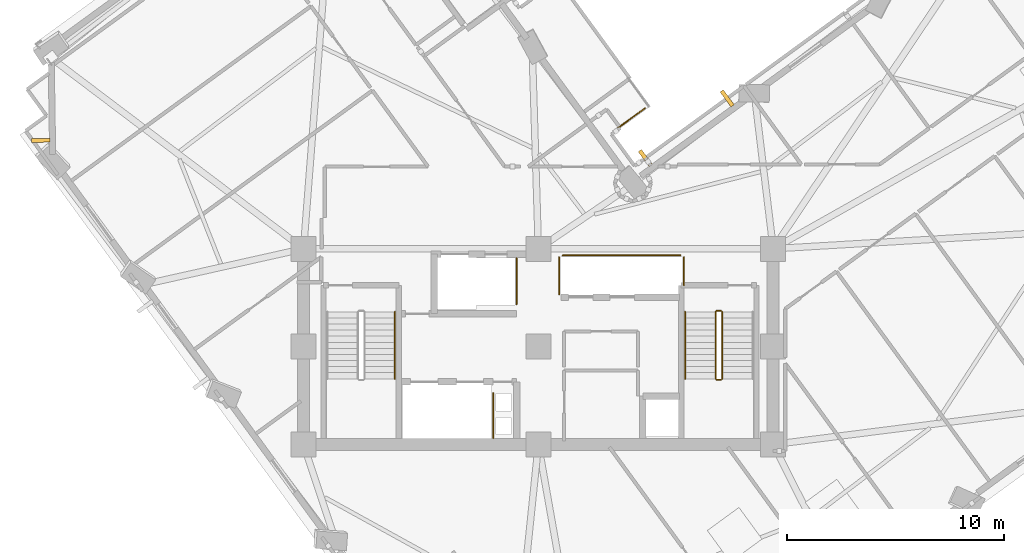
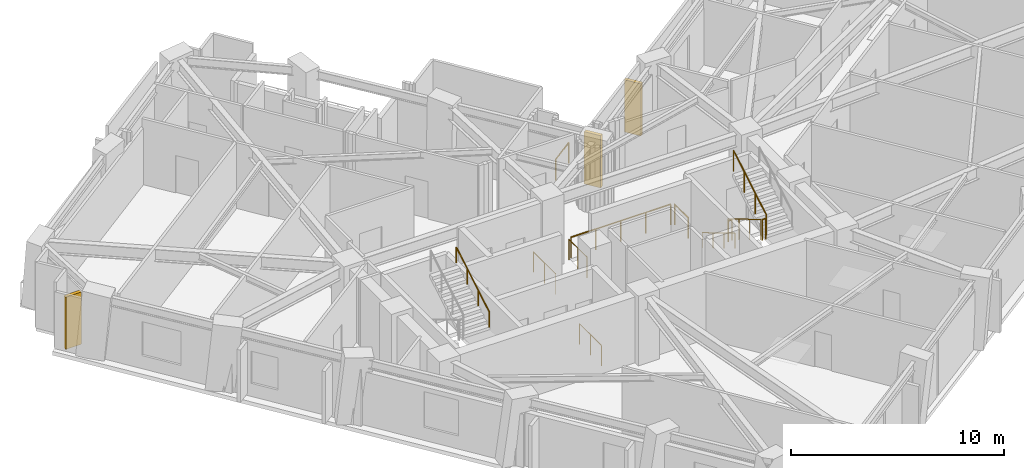
# One storey, part 11 of 14: 12 railings, 3 shading devices.
"""IFC4 building model written with IfcOpenShell, lengths in metres."""

from ifc_helpers import new_model, si_unit, direction, frame, origin, origin_2d, place, context, subcontext, project, spatial, rectangle, circle, extrude, material, layer, layer_set, type_object, element, save


model = new_model("IFC4")

# Units and contexts
model_context = context("Model", 3, precision=1e-05, world=origin(), true_north=direction((0.0, 1.0)))
body_context = subcontext(model_context, "Body", "Model", "MODEL_VIEW")
ifc_project = project(units=[si_unit("LENGTHUNIT", "METRE"), si_unit("AREAUNIT", "SQUARE_METRE"), si_unit("VOLUMEUNIT", "CUBIC_METRE"), si_unit("PLANEANGLEUNIT", "RADIAN"), si_unit("MASSUNIT", "GRAM", prefix="KILO")], contexts=[model_context])

# Site, building, storey
site_placement = place(None, origin())
site = spatial("IfcSite", under=ifc_project, at=site_placement, CompositionType="ELEMENT")
building_placement = place(site_placement, origin())
building = spatial("IfcBuilding", under=site, at=building_placement, Name="Gaonmaruhae Medical Tower", CompositionType="ELEMENT")
storey_placement = place(building_placement, frame((0.0, 0.0, 177.800048828125)))
storey = spatial("IfcBuildingStorey", under=building, at=storey_placement, Name="L42", CompositionType="ELEMENT", Elevation=177.800048828125)

# Railings
ifc_material_1 = material(Name="Stainless steel 316L and laminated safety glass", Category="steel")
ifc_layer = layer(ifc_material_1, 0.080078125)
ifc_layer_set = layer_set([ifc_layer], Name="Stainless steel 316L and laminated safety glass")
railing_type_1 = type_object("IfcRailingType", Name="GD-120 Outdoor Terrace Safety Glass & Steel Balustrade", PredefinedType="BALUSTRADE", material=ifc_layer_set)
railing_1_placement = place(storey_placement, frame((29.700439453125, 23.259521484375, 0.0)))
element("IfcRailing", 1, at=railing_1_placement, inside=storey, type_object=railing_type_1, Name="L42 Perimeter Slab Edge Safety Balustrade 12", PredefinedType="BALUSTRADE", context=body_context, shape_type="SweptSolid", body=[
    extrude(circle(Radius=0.02392578125, at=origin_2d()), frame((0.0, 0.0, 1.17578125), z_axis=(-0.80801712744, -0.589158995317, 0.0), x_axis=(0.589158995317, -0.80801712744, 0.0)), (0.0, 0.0, 1.0), 1.513671875),
    extrude(circle(Radius=0.02099609375, at=origin_2d()), origin(), (0.0, 0.0, 1.0), 1.15185546875),
    extrude(circle(Radius=0.02099609375, at=origin_2d()), frame((-1.22314453125, -0.891845703125, 0.0)), (0.0, 0.0, 1.0), 1.15185546875),
])
ifc_material_2 = material(Name="Stainless steel 304 handrail", Category="steel")
railing_type_2 = type_object("IfcRailingType", Name="HR-092 Continuous Stainless Steel Stair Handrail", PredefinedType="HANDRAIL", material=ifc_material_2)
railing_2_placement = place(storey_placement, frame((18.199951171875, 10.820068359375, 2.16650390625)))
element("IfcRailing", 2, at=railing_2_placement, inside=storey, type_object=railing_type_2, Name="L42 ST-01 stair handrail 2", PredefinedType="HANDRAIL", context=body_context, shape_type="SweptSolid", body=[
    extrude(circle(Radius=0.02392578125, at=origin_2d()), frame((0.0, 0.0, 0.8759765625), z_axis=(0.0, 0.859260807169, 0.511537745687), x_axis=(-1.0, 0.0, 0.0)), (0.0, 0.0, 1.0), 3.584228515625),
    extrude(circle(Radius=0.02099609375, at=origin_2d()), origin(), (0.0, 0.0, 1.0), 0.851806640625),
    extrude(circle(Radius=0.02099609375, at=origin_2d()), frame((0.0, 1.026611328125, 0.611083984375)), (0.0, 0.0, 1.0), 0.851806640625),
    extrude(circle(Radius=0.02099609375, at=origin_2d()), frame((0.0, 2.05322265625, 1.222412109375)), (0.0, 0.0, 1.0), 0.851806640625),
    extrude(circle(Radius=0.02099609375, at=origin_2d()), frame((0.0, 3.079833984375, 1.83349609375)), (0.0, 0.0, 1.0), 0.851806640625),
])
railing_3_placement = place(storey_placement, frame((31.550048828125, 13.89990234375, 0.16650390625)))
element("IfcRailing", 3, at=railing_3_placement, inside=storey, type_object=railing_type_2, Name="L42 ST-02 stair handrail 1", PredefinedType="HANDRAIL", context=body_context, shape_type="SweptSolid", body=[
    extrude(circle(Radius=0.02392578125, at=origin_2d()), frame((0.0, 0.0, 0.8759765625), z_axis=(0.0, -0.859260807169, 0.511537745687), x_axis=(1.0, 0.0, 0.0)), (0.0, 0.0, 1.0), 3.584228515625),
    extrude(circle(Radius=0.02099609375, at=origin_2d()), origin(), (0.0, 0.0, 1.0), 0.851806640625),
    extrude(circle(Radius=0.02099609375, at=origin_2d()), frame((0.0, -1.026611328125, 0.611083984375)), (0.0, 0.0, 1.0), 0.851806640625),
    extrude(circle(Radius=0.02099609375, at=origin_2d()), frame((0.0, -2.05322265625, 1.222412109375)), (0.0, 0.0, 1.0), 0.851806640625),
    extrude(circle(Radius=0.02099609375, at=origin_2d()), frame((0.0, -3.079833984375, 1.83349609375)), (0.0, 0.0, 1.0), 0.851806640625),
])

# Shading devices
ifc_material_3 = material(Name="Pigmented coral precast concrete C45/55", Category="concrete")
shading_device_type = type_object("IfcShadingDeviceType", Name="SD-FIN1 Tower Vertical Coral Precast Shading Fin", PredefinedType="USERDEFINED", material=ifc_material_3)
for number, where, z_axis, x_axis, name in (
    (4, (29.715087890625, 20.970703125, 0.132568359375), (0.0, 0.0, 1.0), (0.808000167191, 0.58918225518, 0.0), "L42 Vertical Coral Precast Shading Fin EN03"),
    (5, (33.48046875, 23.716552734375, 0.132568359375), (0.0, 0.0, 1.0), (0.808000167191, 0.58918225518, 0.0), "L42 Vertical Coral Precast Shading Fin EN03B"),
    (6, (1.90625, 21.786376953125, 0.132568359375), (0.0, 0.0, 1.0), (-0.015393196034, 0.999881517739, 0.0), "L42 Vertical Coral Precast Shading Fin N03"),
):
    element("IfcShadingDevice", number, at=place(storey_placement, frame(where, z_axis=z_axis, x_axis=x_axis)), inside=storey, type_object=shading_device_type, Name=name, ObjectType="FIN", PredefinedType="USERDEFINED", context=body_context, shape_type="SweptSolid", body=[
        extrude(rectangle(XDim=0.179931640625, YDim=0.85009765625, at=origin_2d()), origin(), (0.0, 0.0, 1.0), 3.0),
    ])

# Railings
ifc_material_4 = material(Name="Stainless steel 304 balustrade", Category="steel")
railing_type_3 = type_object("IfcRailingType", Name="SG-112 Stair Well & Ramp Void Safety Balustrade", PredefinedType="BALUSTRADE", material=ifc_material_4)
railing_4_placement = place(storey_placement, frame((32.949951171875, 13.89990234375, 0.16650390625)))
element("IfcRailing", 7, at=railing_4_placement, inside=storey, type_object=railing_type_3, Name="L42 ST-02 stair guard 1", PredefinedType="BALUSTRADE", context=body_context, shape_type="SweptSolid", body=[
    extrude(circle(Radius=0.02392578125, at=origin_2d()), frame((0.0, 0.0, 1.17578125), z_axis=(0.0, -0.859260807169, 0.511537745687), x_axis=(1.0, 0.0, 0.0)), (0.0, 0.0, 1.0), 3.584228515625),
    extrude(circle(Radius=0.02099609375, at=origin_2d()), origin(), (0.0, 0.0, 1.0), 1.15185546875),
    extrude(circle(Radius=0.02099609375, at=origin_2d()), frame((0.0, -1.026611328125, 0.611083984375)), (0.0, 0.0, 1.0), 1.15185546875),
    extrude(circle(Radius=0.02099609375, at=origin_2d()), frame((0.0, -2.05322265625, 1.222412109375)), (0.0, 0.0, 1.0), 1.15185546875),
    extrude(circle(Radius=0.02099609375, at=origin_2d()), frame((0.0, -3.079833984375, 1.83349609375)), (0.0, 0.0, 1.0), 1.15185546875),
])
railing_5_placement = place(storey_placement, frame((33.0, 10.77001953125, 2.0)))
element("IfcRailing", 8, at=railing_5_placement, inside=storey, type_object=railing_type_3, Name="L42 ST-02 stair guard 2", PredefinedType="BALUSTRADE", context=body_context, shape_type="SweptSolid", body=[
    extrude(circle(Radius=0.02392578125, at=origin_2d()), frame((0.0, 0.0, 1.17578125), z_axis=(1.0, 0.0, 0.0), x_axis=(0.0, 1.0, 0.0)), (0.0, 0.0, 1.0), 0.199951171875),
    extrude(circle(Radius=0.02099609375, at=origin_2d()), origin(), (0.0, 0.0, 1.0), 1.15185546875),
    extrude(circle(Radius=0.02099609375, at=origin_2d()), frame((0.199951171875, 0.0, 0.0)), (0.0, 0.0, 1.0), 1.15185546875),
])
railing_6_placement = place(storey_placement, frame((33.25, 10.820068359375, 2.16650390625)))
element("IfcRailing", 9, at=railing_6_placement, inside=storey, type_object=railing_type_3, Name="L42 ST-02 stair guard 3", PredefinedType="BALUSTRADE", context=body_context, shape_type="SweptSolid", body=[
    extrude(circle(Radius=0.02392578125, at=origin_2d()), frame((0.0, 0.0, 1.17578125), z_axis=(0.0, 0.859260807169, 0.511537745687), x_axis=(-1.0, 0.0, 0.0)), (0.0, 0.0, 1.0), 3.584228515625),
    extrude(circle(Radius=0.02099609375, at=origin_2d()), origin(), (0.0, 0.0, 1.0), 1.15185546875),
    extrude(circle(Radius=0.02099609375, at=origin_2d()), frame((0.0, 1.026611328125, 0.611083984375)), (0.0, 0.0, 1.0), 1.15185546875),
    extrude(circle(Radius=0.02099609375, at=origin_2d()), frame((0.0, 2.05322265625, 1.222412109375)), (0.0, 0.0, 1.0), 1.15185546875),
    extrude(circle(Radius=0.02099609375, at=origin_2d()), frame((0.0, 3.079833984375, 1.83349609375)), (0.0, 0.0, 1.0), 1.15185546875),
])
railing_7_placement = place(storey_placement, frame((33.0, 13.949951171875, 0.0)))
element("IfcRailing", 10, at=railing_7_placement, inside=storey, type_object=railing_type_3, Name="L42 ST-02 stair guard 4", PredefinedType="BALUSTRADE", context=body_context, shape_type="SweptSolid", body=[
    extrude(circle(Radius=0.02392578125, at=origin_2d()), frame((0.0, 0.0, 1.17578125), z_axis=(1.0, 0.0, 0.0), x_axis=(0.0, 1.0, 0.0)), (0.0, 0.0, 1.0), 0.199951171875),
    extrude(circle(Radius=0.02099609375, at=origin_2d()), origin(), (0.0, 0.0, 1.0), 1.15185546875),
    extrude(circle(Radius=0.02099609375, at=origin_2d()), frame((0.199951171875, 0.0, 0.0)), (0.0, 0.0, 1.0), 1.15185546875),
])
railing_8_placement = place(storey_placement, frame((22.719970703125, 10.159912109375, 0.0)))
element("IfcRailing", 11, at=railing_8_placement, inside=storey, type_object=railing_type_3, Name="L42 Shaft Edge Safety Guard 16", PredefinedType="BALUSTRADE", context=body_context, shape_type="SweptSolid", body=[
    extrude(circle(Radius=0.02392578125, at=origin_2d()), frame((0.0, 0.0, 1.17578125), z_axis=(0.0, -1.0, 0.0), x_axis=(1.0, 0.0, 0.0)), (0.0, 0.0, 1.0), 2.06494140625),
    extrude(circle(Radius=0.02099609375, at=origin_2d()), origin(), (0.0, 0.0, 1.0), 1.15185546875),
    extrude(circle(Radius=0.02099609375, at=origin_2d()), frame((0.0, -1.032470703125, 0.0)), (0.0, 0.0, 1.0), 1.15185546875),
    extrude(circle(Radius=0.02099609375, at=origin_2d()), frame((0.0, -2.06494140625, 0.0)), (0.0, 0.0, 1.0), 1.15185546875),
])
railing_9_placement = place(storey_placement, frame((23.794921875, 16.35498046875, 0.0)))
element("IfcRailing", 12, at=railing_9_placement, inside=storey, type_object=railing_type_3, Name="L42 Shaft Edge Safety Guard 17", PredefinedType="BALUSTRADE", context=body_context, shape_type="SweptSolid", body=[
    extrude(circle(Radius=0.02392578125, at=origin_2d()), frame((0.0, 0.0, 1.17578125), z_axis=(0.0, -1.0, 0.0), x_axis=(1.0, 0.0, 0.0)), (0.0, 0.0, 1.0), 2.10986328125),
    extrude(circle(Radius=0.02099609375, at=origin_2d()), origin(), (0.0, 0.0, 1.0), 1.15185546875),
    extrude(circle(Radius=0.02099609375, at=origin_2d()), frame((0.0, -1.054931640625, 0.0)), (0.0, 0.0, 1.0), 1.15185546875),
    extrude(circle(Radius=0.02099609375, at=origin_2d()), frame((0.0, -2.10986328125, 0.0)), (0.0, 0.0, 1.0), 1.15185546875),
])
railing_10_placement = place(storey_placement, frame((31.4951171875, 16.405029296875, 0.0)))
element("IfcRailing", 13, at=railing_10_placement, inside=storey, type_object=railing_type_3, Name="L42 Shaft Edge Safety Guard 18", PredefinedType="BALUSTRADE", context=body_context, shape_type="SweptSolid", body=[
    extrude(circle(Radius=0.02392578125, at=origin_2d()), frame((0.0, 0.0, 1.17578125), z_axis=(0.0, -1.0, 0.0), x_axis=(1.0, 0.0, 0.0)), (0.0, 0.0, 1.0), 1.284912109375),
    extrude(circle(Radius=0.02099609375, at=origin_2d()), origin(), (0.0, 0.0, 1.0), 1.15185546875),
    extrude(circle(Radius=0.02099609375, at=origin_2d()), frame((0.0, -1.284912109375, 0.0)), (0.0, 0.0, 1.0), 1.15185546875),
])
railing_11_placement = place(storey_placement, frame((25.7548828125, 14.695068359375, 0.0)))
element("IfcRailing", 14, at=railing_11_placement, inside=storey, type_object=railing_type_3, Name="L42 Shaft Edge Safety Guard 19", PredefinedType="BALUSTRADE", context=body_context, shape_type="SweptSolid", body=[
    extrude(circle(Radius=0.02392578125, at=origin_2d()), frame((0.0, 0.0, 1.17578125), z_axis=(0.0, 1.0, 0.0), x_axis=(-1.0, 0.0, 0.0)), (0.0, 0.0, 1.0), 1.7099609375),
    extrude(circle(Radius=0.02099609375, at=origin_2d()), origin(), (0.0, 0.0, 1.0), 1.15185546875),
    extrude(circle(Radius=0.02099609375, at=origin_2d()), frame((0.0, 0.85498046875, 0.0)), (0.0, 0.0, 1.0), 1.15185546875),
    extrude(circle(Radius=0.02099609375, at=origin_2d()), frame((0.0, 1.7099609375, 0.0)), (0.0, 0.0, 1.0), 1.15185546875),
])
railing_12_placement = place(storey_placement, frame((25.919921875, 16.4951171875, 0.0)))
element("IfcRailing", 15, at=railing_12_placement, inside=storey, type_object=railing_type_3, Name="L42 Shaft Edge Safety Guard 20", PredefinedType="BALUSTRADE", context=body_context, shape_type="SweptSolid", body=[
    extrude(circle(Radius=0.02392578125, at=origin_2d()), frame((0.0, 0.0, 1.17578125), z_axis=(1.0, 0.0, 0.0), x_axis=(0.0, 1.0, 0.0)), (0.0, 0.0, 1.0), 5.41015625),
    extrude(circle(Radius=0.02099609375, at=origin_2d()), origin(), (0.0, 0.0, 1.0), 1.15185546875),
    extrude(circle(Radius=0.02099609375, at=origin_2d()), frame((1.3525390625, 0.0, 0.0)), (0.0, 0.0, 1.0), 1.15185546875),
    extrude(circle(Radius=0.02099609375, at=origin_2d()), frame((2.705078125, 0.0, 0.0)), (0.0, 0.0, 1.0), 1.15185546875),
    extrude(circle(Radius=0.02099609375, at=origin_2d()), frame((4.0576171875, 0.0, 0.0)), (0.0, 0.0, 1.0), 1.15185546875),
    extrude(circle(Radius=0.02099609375, at=origin_2d()), frame((5.41015625, 0.0, 0.0)), (0.0, 0.0, 1.0), 1.15185546875),
])

save(model, "model.ifc")
